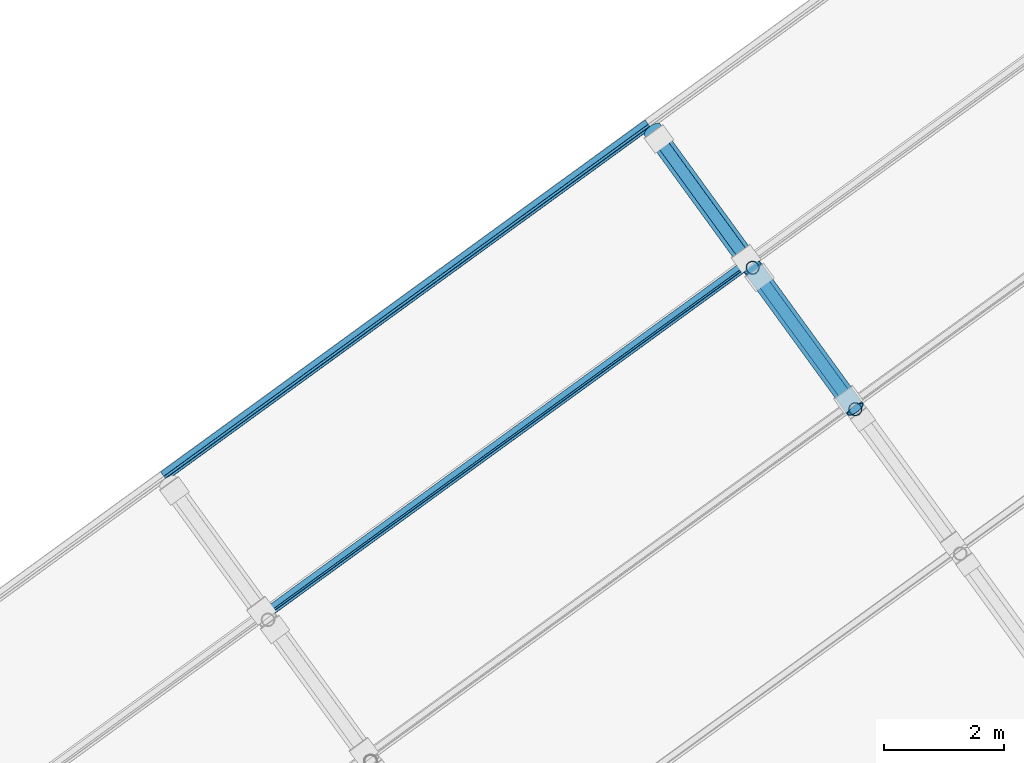
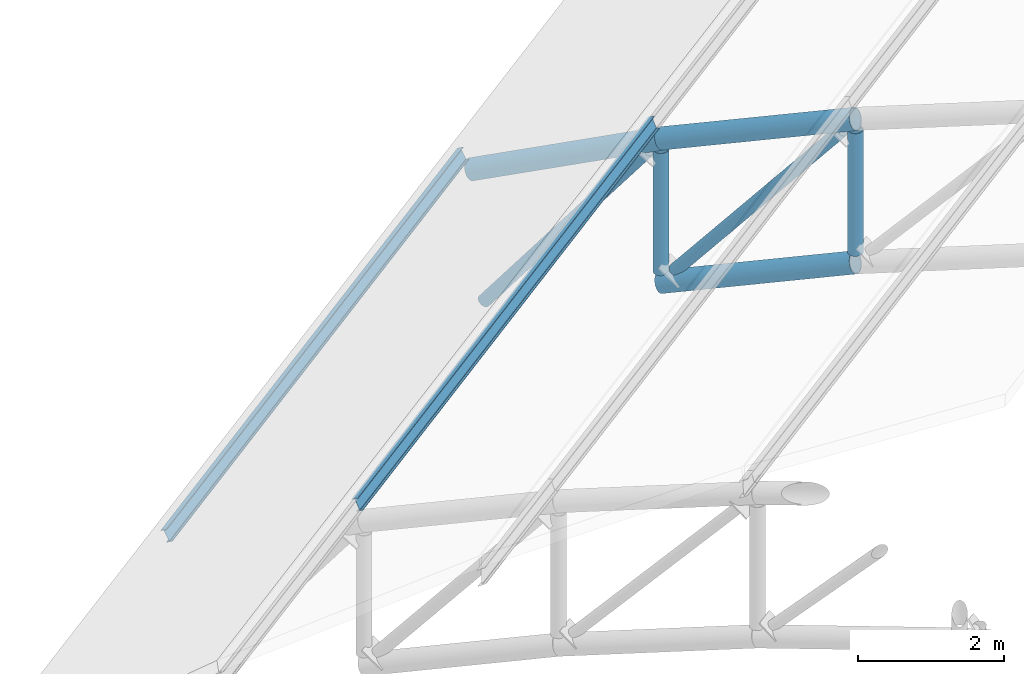
# One storey, part 24 of 69: 7 members, 2 beams.
"""IFC4 building model written with IfcOpenShell, lengths in metres."""

from ifc_helpers import new_model, si_unit, direction, frame, origin, origin_2d, place, context, subcontext, project, spatial, hollow_circle, i_section, extrude, material, material_profile, profile_set, type_object, element, save


model = new_model("IFC4")

# Units and contexts
model_context = context("Model", 3, precision=1e-05, world=origin(), true_north=direction((0.0, 1.0)))
body_context = subcontext(model_context, "Body", "Model", "MODEL_VIEW")
ifc_project = project(units=[si_unit("LENGTHUNIT", "METRE"), si_unit("AREAUNIT", "SQUARE_METRE"), si_unit("VOLUMEUNIT", "CUBIC_METRE"), si_unit("PLANEANGLEUNIT", "RADIAN"), si_unit("MASSUNIT", "GRAM", prefix="KILO")], contexts=[model_context])

# Site, building, storey
site_placement = place(None, origin())
site = spatial("IfcSite", under=ifc_project, at=site_placement, CompositionType="ELEMENT")
building_placement = place(site_placement, origin())
building = spatial("IfcBuilding", under=site, at=building_placement, Name="Okhra Congress Centre", CompositionType="ELEMENT")
storey_placement = place(building_placement, frame((0.0, 0.0, 16.800048828125)))
storey = spatial("IfcBuildingStorey", under=building, at=storey_placement, Name="L03", CompositionType="ELEMENT", Elevation=16.800048828125)

# Members
ifc_material_1 = material(Name="Steel S355J2H", Category="steel")
ifc_material_profile_1 = material_profile(ifc_material_1, hollow_circle(Radius=0.096923828125, WallThickness=0.010009765625, at=origin_2d()), Name="CHS 193.7x10")
ifc_profile_set_1 = profile_set([ifc_material_profile_1], Name="Steel S355J2H")
member_type_1 = type_object("IfcMemberType", Name="CHS 193.7x10", PredefinedType="BRACE", material=ifc_profile_set_1)
member_1_placement = place(storey_placement, frame((225.760009765625, 212.722900390625, -0.28076171875), z_axis=(0.3727521496, -0.513012647098, 0.773223033081), x_axis=(0.808997013889, 0.587812752089, 0.0)))
element("IfcMember", 1, at=member_1_placement, inside=storey, type_object=member_type_1, Name="Truss 4 diagonal 16", PredefinedType="BRACE", context=body_context, shape_type="SweptSolid", body=[
    extrude(hollow_circle(Radius=0.096923828125, WallThickness=0.010009765625, at=origin_2d()), origin(), (0.0, 0.0, 1.0), 3.95458984375),
])
member_2_placement = place(storey_placement, frame((224.079345703125, 215.0361328125, -1.60595703125), z_axis=(0.356786330674, -0.491055574481, 0.794712487013), x_axis=(0.809006361438, 0.587799886997, 0.0)))
element("IfcMember", 2, at=member_2_placement, inside=storey, type_object=member_type_1, Name="Truss 4 diagonal 17", PredefinedType="BRACE", context=body_context, shape_type="SweptSolid", body=[
    extrude(hollow_circle(Radius=0.096923828125, WallThickness=0.010009765625, at=origin_2d()), origin(), (0.0, 0.0, 1.0), 4.052978515625),
])
ifc_material_profile_2 = material_profile(ifc_material_1, hollow_circle(Radius=0.109619140625, WallThickness=0.008056640625, at=origin_2d()), Name="CHS 219.1x8")
ifc_profile_set_2 = profile_set([ifc_material_profile_2], Name="Steel S355J2H")
member_type_2 = type_object("IfcMemberType", Name="CHS 219.1x8", PredefinedType="POST", material=ifc_profile_set_2)
member_3_placement = place(storey_placement, frame((227.35498046875, 210.527587890625, 0.80224609375), z_axis=(0.0, 0.0, 1.0), x_axis=(1.0, 0.0, 0.0)))
element("IfcMember", 3, at=member_3_placement, inside=storey, type_object=member_type_2, Name="Truss 4 post 15", PredefinedType="POST", context=body_context, shape_type="SweptSolid", body=[
    extrude(hollow_circle(Radius=0.109619140625, WallThickness=0.008056640625, at=origin_2d()), origin(), (0.0, 0.0, 1.0), 2.05126953125),
])
member_4_placement = place(storey_placement, frame((225.63916015625, 212.889404296875, -0.353271484375), z_axis=(0.0, 0.0, 1.0), x_axis=(1.0, 0.0, 0.0)))
element("IfcMember", 4, at=member_4_placement, inside=storey, type_object=member_type_2, Name="Truss 4 post 16", PredefinedType="POST", context=body_context, shape_type="SweptSolid", body=[
    extrude(hollow_circle(Radius=0.109619140625, WallThickness=0.008056640625, at=origin_2d()), origin(), (0.0, 0.0, 1.0), 2.043212890625),
])
ifc_material_profile_3 = material_profile(ifc_material_1, hollow_circle(Radius=0.161865234375, WallThickness=0.012451171875, at=origin_2d()), Name="CHS 323.9x12.5")
ifc_profile_set_3 = profile_set([ifc_material_profile_3], Name="Steel S355J2H")
member_type_3 = type_object("IfcMemberType", Name="CHS 323.9x12.5", PredefinedType="CHORD", material=ifc_profile_set_3)
member_5_placement = place(storey_placement, frame((227.35498046875, 210.527587890625, 0.6279296875), z_axis=(-0.546233373681, 0.751886974528, -0.369181634175), x_axis=(-0.809039757938, -0.58775391966, 0.0)))
element("IfcMember", 5, at=member_5_placement, inside=storey, type_object=member_type_3, Name="Truss 4 bottom chord 16", PredefinedType="CHORD", context=body_context, shape_type="SweptSolid", body=[
    extrude(hollow_circle(Radius=0.161865234375, WallThickness=0.012451171875, at=origin_2d()), origin(), (0.0, 0.0, 1.0), 3.14111328125),
])
member_6_placement = place(storey_placement, frame((227.35498046875, 210.527587890625, 3.028076171875), z_axis=(-0.546217699248, 0.751865398766, -0.369248760548), x_axis=(-0.809039757938, -0.58775391966, 0.0)))
element("IfcMember", 6, at=member_6_placement, inside=storey, type_object=member_type_3, Name="Truss 4 top chord 16", PredefinedType="CHORD", context=body_context, shape_type="SweptSolid", body=[
    extrude(hollow_circle(Radius=0.161865234375, WallThickness=0.012451171875, at=origin_2d()), origin(), (0.0, 0.0, 1.0), 3.141357421875),
])
member_7_placement = place(storey_placement, frame((225.63916015625, 212.889404296875, 1.8681640625), z_axis=(-0.532714364208, 0.733240051348, -0.42258068255), x_axis=(-0.809025240298, -0.587773902586, 0.0)))
element("IfcMember", 7, at=member_7_placement, inside=storey, type_object=member_type_3, Name="Truss 4 top chord 17", PredefinedType="CHORD", context=body_context, shape_type="SweptSolid", body=[
    extrude(hollow_circle(Radius=0.161865234375, WallThickness=0.012451171875, at=origin_2d()), origin(), (0.0, 0.0, 1.0), 3.14111328125),
])

# Beams
ifc_material_2 = material(Name="Steel S355J2", Category="steel")
ifc_material_profile_4 = material_profile(ifc_material_2, i_section(OverallWidth=0.10009765625, OverallDepth=0.199951171875, WebThickness=0.005615234375, FlangeThickness=0.008544921875, FilletRadius=0.011962890625, at=origin_2d()), Name="IPE 200")
ifc_profile_set_4 = profile_set([ifc_material_profile_4], Name="Steel S355J2")
beam_type = type_object("IfcBeamType", Name="IPE 200", PredefinedType="BEAM", material=ifc_profile_set_4)
beam_1_placement = place(storey_placement, frame((217.488525390625, 207.094482421875, 2.10595703125), z_axis=(0.809018924928, 0.587782595105, 0.0), x_axis=(-0.53971144617, 0.742854207642, -0.396079766034)))
element("IfcBeam", 8, at=beam_1_placement, inside=storey, type_object=beam_type, Name="Purlin 17.99", PredefinedType="BEAM", context=body_context, shape_type="SweptSolid", body=[
    extrude(i_section(OverallWidth=0.10009765625, OverallDepth=0.199951171875, WebThickness=0.005615234375, FlangeThickness=0.008544921875, FilletRadius=0.011962890625, at=origin_2d()), origin(), (0.0, 0.0, 1.0), 10.000244140625),
])
beam_2_placement = place(storey_placement, frame((215.807373046875, 209.40869140625, 0.772216796875), z_axis=(0.809010490052, 0.58779420462, 0.0), x_axis=(-0.52527208704, 0.722958180273, -0.448799180206)))
element("IfcBeam", 9, at=beam_2_placement, inside=storey, type_object=beam_type, Name="Purlin 18.105", PredefinedType="BEAM", context=body_context, shape_type="SweptSolid", body=[
    extrude(i_section(OverallWidth=0.10009765625, OverallDepth=0.199951171875, WebThickness=0.005615234375, FlangeThickness=0.008544921875, FilletRadius=0.011962890625, at=origin_2d()), origin(), (0.0, 0.0, 1.0), 10.0),
])

save(model, "model.ifc")
